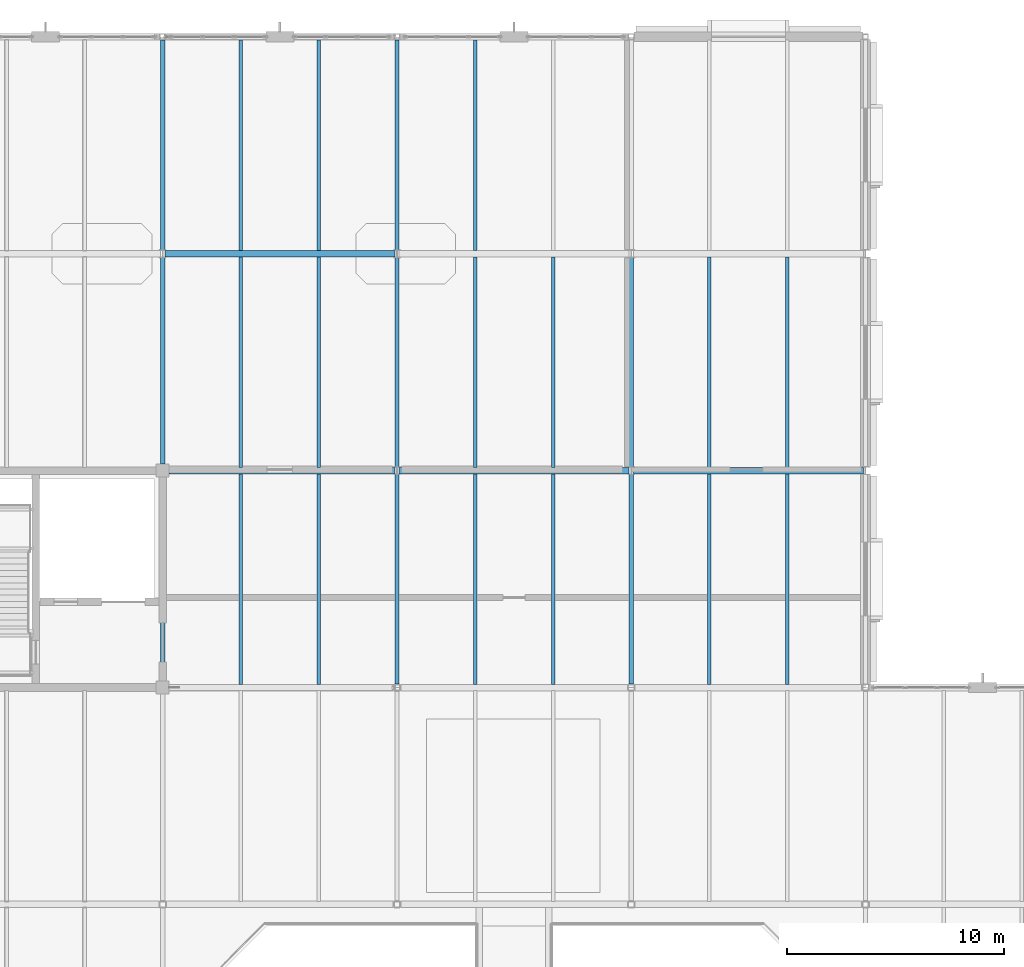
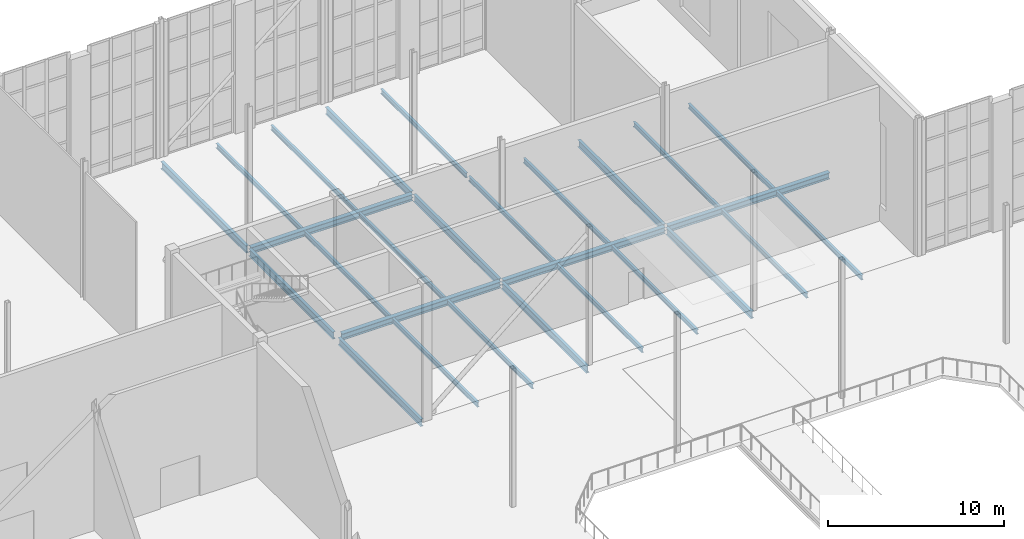
# One storey, part 53 of 100: 27 beams.
"""IFC4 building model written with IfcOpenShell, lengths in metres."""

from ifc_helpers import new_model, si_unit, direction, frame, origin, origin_2d, place, context, subcontext, project, spatial, i_section, extrude, material, material_profile, profile_set, type_object, element, save


model = new_model("IFC4")

# Units and contexts
model_context = context("Model", 3, precision=1e-05, world=origin(), true_north=direction((0.0, 1.0)))
body_context = subcontext(model_context, "Body", "Model", "MODEL_VIEW")
ifc_project = project(units=[si_unit("LENGTHUNIT", "METRE"), si_unit("AREAUNIT", "SQUARE_METRE"), si_unit("VOLUMEUNIT", "CUBIC_METRE"), si_unit("PLANEANGLEUNIT", "RADIAN"), si_unit("MASSUNIT", "GRAM", prefix="KILO")], contexts=[model_context])

# Site, building, storey
site_placement = place(None, origin())
site = spatial("IfcSite", under=ifc_project, at=site_placement, CompositionType="ELEMENT")
building_placement = place(site_placement, origin())
building = spatial("IfcBuilding", under=site, at=building_placement, Name="Tasgan Crest Museum", CompositionType="ELEMENT")
storey_placement = place(building_placement, frame((0.0, 0.0, 14.39990234375)))
storey = spatial("IfcBuildingStorey", under=building, at=storey_placement, Name="L03", CompositionType="ELEMENT", Elevation=14.39990234375)

# Beams
ifc_material_1 = material(Name="Steel S355J2", Category="steel")
ifc_material_profile_1 = material_profile(ifc_material_1, i_section(OverallWidth=0.300048828125, OverallDepth=0.43994140625, WebThickness=0.011474609375, FlangeThickness=0.02099609375, FilletRadius=0.027099609375, at=origin_2d()), Name="HEA 450")
ifc_profile_set_1 = profile_set([ifc_material_profile_1], Name="Steel S355J2")
beam_type_1 = type_object("IfcBeamType", Name="BM-G-HEA450", PredefinedType="BEAM", material=ifc_profile_set_1)
beam_1_placement = place(storey_placement, frame((65.095947265625, 92.0, -0.4599609375), z_axis=(1.0, 0.0, 0.0), x_axis=(0.0, 1.0, 0.0)))
element("IfcBeam", 1, at=beam_1_placement, inside=storey, type_object=beam_type_1, Name="Girder L03 K 64.8-75.6", PredefinedType="BEAM", context=body_context, shape_type="SweptSolid", body=[
    extrude(i_section(OverallWidth=0.300048828125, OverallDepth=0.43994140625, WebThickness=0.011474609375, FlangeThickness=0.02099609375, FilletRadius=0.027099609375, at=origin_2d()), origin(), (0.0, 0.0, 1.0), 10.407958984375),
])
for number, where, z_axis, x_axis, name in (
    (2, (75.696044921875, 92.0, -0.4599609375), (1.0, 0.0, 0.0), (0.0, 1.0, 0.0), "Girder L03 K 75.6-86.4"),
    (3, (86.49609375, 92.0, -0.4599609375), (1.0, 0.0, 0.0), (0.0, 1.0, 0.0), "Girder L03 K 86.4-97.2"),
    (4, (64.89599609375, 102.0, -0.4599609375), (1.0, 0.0, 0.0), (0.0, 1.0, 0.0), "Girder L03 L 64.8-75.6"),
):
    element("IfcBeam", number, at=place(storey_placement, frame(where, z_axis=z_axis, x_axis=x_axis)), inside=storey, type_object=beam_type_1, Name=name, PredefinedType="BEAM", context=body_context, shape_type="SweptSolid", body=[
        extrude(i_section(OverallWidth=0.300048828125, OverallDepth=0.43994140625, WebThickness=0.011474609375, FlangeThickness=0.02099609375, FilletRadius=0.027099609375, at=origin_2d()), origin(), (0.0, 0.0, 1.0), 10.60791015625),
    ])
ifc_material_2 = material(Name="Steel S355J2", Category="steel")
ifc_material_profile_2 = material_profile(ifc_material_2, i_section(OverallWidth=0.199951171875, OverallDepth=0.5, WebThickness=0.01025390625, FlangeThickness=0.01611328125, FilletRadius=0.02099609375, at=origin_2d()), Name="IPE 500")
ifc_profile_set_2 = profile_set([ifc_material_profile_2], Name="Steel S355J2")
beam_type_2 = type_object("IfcBeamType", Name="BM-G-IPE500", PredefinedType="BEAM", material=ifc_profile_set_2)
beam_2_placement = place(storey_placement, frame((64.800048828125, 82.294921875, -0.489990234375), z_axis=(0.0, 1.0, 0.0), x_axis=(-1.0, 0.0, 0.0)))
element("IfcBeam", 5, at=beam_2_placement, inside=storey, type_object=beam_type_2, Name="Beam L03 7 82.0-92.0", PredefinedType="BEAM", context=body_context, shape_type="SweptSolid", body=[
    extrude(i_section(OverallWidth=0.199951171875, OverallDepth=0.5, WebThickness=0.01025390625, FlangeThickness=0.01611328125, FilletRadius=0.02099609375, at=origin_2d()), origin(), (0.0, 0.0, 1.0), 9.41015625),
])
beam_3_placement = place(storey_placement, frame((64.800048828125, 92.294921875, -0.489990234375), z_axis=(0.0, 1.0, 0.0), x_axis=(-1.0, 0.0, 0.0)))
element("IfcBeam", 6, at=beam_3_placement, inside=storey, type_object=beam_type_2, Name="Beam L03 7 92.0-102.0", PredefinedType="BEAM", context=body_context, shape_type="SweptSolid", body=[
    extrude(i_section(OverallWidth=0.199951171875, OverallDepth=0.5, WebThickness=0.01025390625, FlangeThickness=0.01611328125, FilletRadius=0.02099609375, at=origin_2d()), origin(), (0.0, 0.0, 1.0), 9.56005859375),
])
beam_4_placement = place(storey_placement, frame((64.800048828125, 102.14501953125, -0.489990234375), z_axis=(0.0, 1.0, 0.0), x_axis=(-1.0, 0.0, 0.0)))
element("IfcBeam", 7, at=beam_4_placement, inside=storey, type_object=beam_type_2, Name="Beam L03 7 102.0-112.0", PredefinedType="BEAM", context=body_context, shape_type="SweptSolid", body=[
    extrude(i_section(OverallWidth=0.199951171875, OverallDepth=0.5, WebThickness=0.01025390625, FlangeThickness=0.01611328125, FilletRadius=0.02099609375, at=origin_2d()), origin(), (0.0, 0.0, 1.0), 9.7099609375),
])
beam_5_placement = place(storey_placement, frame((75.60009765625, 82.1728515625, -0.489990234375), z_axis=(0.0, 1.0, 0.0), x_axis=(-1.0, 0.0, 0.0)))
element("IfcBeam", 8, at=beam_5_placement, inside=storey, type_object=beam_type_2, Name="Beam L03 8 82.0-92.0", PredefinedType="BEAM", context=body_context, shape_type="SweptSolid", body=[
    extrude(i_section(OverallWidth=0.199951171875, OverallDepth=0.5, WebThickness=0.01025390625, FlangeThickness=0.01611328125, FilletRadius=0.02099609375, at=origin_2d()), origin(), (0.0, 0.0, 1.0), 9.68212890625),
])
for number, where, z_axis, x_axis, name in (
    (9, (75.60009765625, 92.14501953125, -0.489990234375), (0.0, 1.0, 0.0), (-1.0, 0.0, 0.0), "Beam L03 8 92.0-102.0"),
    (10, (75.60009765625, 102.14501953125, -0.489990234375), (0.0, 1.0, 0.0), (-1.0, 0.0, 0.0), "Beam L03 8 102.0-112.0"),
):
    element("IfcBeam", number, at=place(storey_placement, frame(where, z_axis=z_axis, x_axis=x_axis)), inside=storey, type_object=beam_type_2, Name=name, PredefinedType="BEAM", context=body_context, shape_type="SweptSolid", body=[
        extrude(i_section(OverallWidth=0.199951171875, OverallDepth=0.5, WebThickness=0.01025390625, FlangeThickness=0.01611328125, FilletRadius=0.02099609375, at=origin_2d()), origin(), (0.0, 0.0, 1.0), 9.7099609375),
    ])
beam_6_placement = place(storey_placement, frame((86.39990234375, 82.1728515625, -0.489990234375), z_axis=(0.0, 1.0, 0.0), x_axis=(-1.0, 0.0, 0.0)))
element("IfcBeam", 11, at=beam_6_placement, inside=storey, type_object=beam_type_2, Name="Beam L03 9 82.0-92.0", PredefinedType="BEAM", context=body_context, shape_type="SweptSolid", body=[
    extrude(i_section(OverallWidth=0.199951171875, OverallDepth=0.5, WebThickness=0.01025390625, FlangeThickness=0.01611328125, FilletRadius=0.02099609375, at=origin_2d()), origin(), (0.0, 0.0, 1.0), 9.68212890625),
])
beam_7_placement = place(storey_placement, frame((86.39990234375, 92.14501953125, -0.489990234375), z_axis=(0.0, 1.0, 0.0), x_axis=(-1.0, 0.0, 0.0)))
element("IfcBeam", 12, at=beam_7_placement, inside=storey, type_object=beam_type_2, Name="Beam L03 9 92.0-102.0", PredefinedType="BEAM", context=body_context, shape_type="SweptSolid", body=[
    extrude(i_section(OverallWidth=0.199951171875, OverallDepth=0.5, WebThickness=0.01025390625, FlangeThickness=0.01611328125, FilletRadius=0.02099609375, at=origin_2d()), origin(), (0.0, 0.0, 1.0), 9.7099609375),
])
ifc_material_3 = material(Name="Steel S355J2", Category="steel")
ifc_material_profile_3 = material_profile(ifc_material_3, i_section(OverallWidth=0.159912109375, OverallDepth=0.330078125, WebThickness=0.007568359375, FlangeThickness=0.011474609375, FilletRadius=0.01806640625, at=origin_2d()), Name="IPE 330")
ifc_profile_set_3 = profile_set([ifc_material_profile_3], Name="Steel S355J2")
beam_type_3 = type_object("IfcBeamType", Name="BM-J-IPE330", PredefinedType="JOIST", material=ifc_profile_set_3)
for number, where, z_axis, x_axis, name in (
    (13, (68.39990234375, 82.14501953125, -0.40478515625), (0.0, 1.0, 0.0), (-1.0, 0.0, 0.0), "Secondary joist L03 X=68.4 Y=82.0-92.0"),
    (14, (72.0, 82.14501953125, -0.40478515625), (0.0, 1.0, 0.0), (-1.0, 0.0, 0.0), "Secondary joist L03 X=72.0 Y=82.0-92.0"),
    (15, (68.39990234375, 92.14501953125, -0.40478515625), (0.0, 1.0, 0.0), (-1.0, 0.0, 0.0), "Secondary joist L03 X=68.4 Y=92.0-102.0"),
    (16, (72.0, 92.14501953125, -0.40478515625), (0.0, 1.0, 0.0), (-1.0, 0.0, 0.0), "Secondary joist L03 X=72.0 Y=92.0-102.0"),
    (17, (68.39990234375, 102.14501953125, -0.40478515625), (0.0, 1.0, 0.0), (-1.0, 0.0, 0.0), "Secondary joist L03 X=68.4 Y=102.0-112.0"),
    (18, (72.0, 102.14501953125, -0.40478515625), (0.0, 1.0, 0.0), (-1.0, 0.0, 0.0), "Secondary joist L03 X=72.0 Y=102.0-112.0"),
    (19, (79.199951171875, 82.14501953125, -0.40478515625), (0.0, 1.0, 0.0), (-1.0, 0.0, 0.0), "Secondary joist L03 X=79.2 Y=82.0-92.0"),
    (20, (82.800048828125, 82.14501953125, -0.40478515625), (0.0, 1.0, 0.0), (-1.0, 0.0, 0.0), "Secondary joist L03 X=82.8 Y=82.0-92.0"),
    (21, (79.199951171875, 92.14501953125, -0.40478515625), (0.0, 1.0, 0.0), (-1.0, 0.0, 0.0), "Secondary joist L03 X=79.2 Y=92.0-102.0"),
    (22, (82.800048828125, 92.14501953125, -0.40478515625), (0.0, 1.0, 0.0), (-1.0, 0.0, 0.0), "Secondary joist L03 X=82.8 Y=92.0-102.0"),
    (23, (79.199951171875, 102.14501953125, -0.40478515625), (0.0, 1.0, 0.0), (-1.0, 0.0, 0.0), "Secondary joist L03 X=79.2 Y=102.0-112.0"),
    (24, (90.0, 82.14501953125, -0.40478515625), (0.0, 1.0, 0.0), (-1.0, 0.0, 0.0), "Secondary joist L03 X=90.0 Y=82.0-92.0"),
    (25, (93.60009765625, 82.14501953125, -0.40478515625), (0.0, 1.0, 0.0), (-1.0, 0.0, 0.0), "Secondary joist L03 X=93.6 Y=82.0-92.0"),
    (26, (90.0, 92.14501953125, -0.40478515625), (0.0, 1.0, 0.0), (-1.0, 0.0, 0.0), "Secondary joist L03 X=90.0 Y=92.0-102.0"),
    (27, (93.60009765625, 92.14501953125, -0.40478515625), (0.0, 1.0, 0.0), (-1.0, 0.0, 0.0), "Secondary joist L03 X=93.6 Y=92.0-102.0"),
):
    element("IfcBeam", number, at=place(storey_placement, frame(where, z_axis=z_axis, x_axis=x_axis)), inside=storey, type_object=beam_type_3, Name=name, PredefinedType="JOIST", context=body_context, shape_type="SweptSolid", body=[
        extrude(i_section(OverallWidth=0.159912109375, OverallDepth=0.330078125, WebThickness=0.007568359375, FlangeThickness=0.011474609375, FilletRadius=0.01806640625, at=origin_2d()), origin(), (0.0, 0.0, 1.0), 9.7099609375),
    ])

save(model, "model.ifc")
